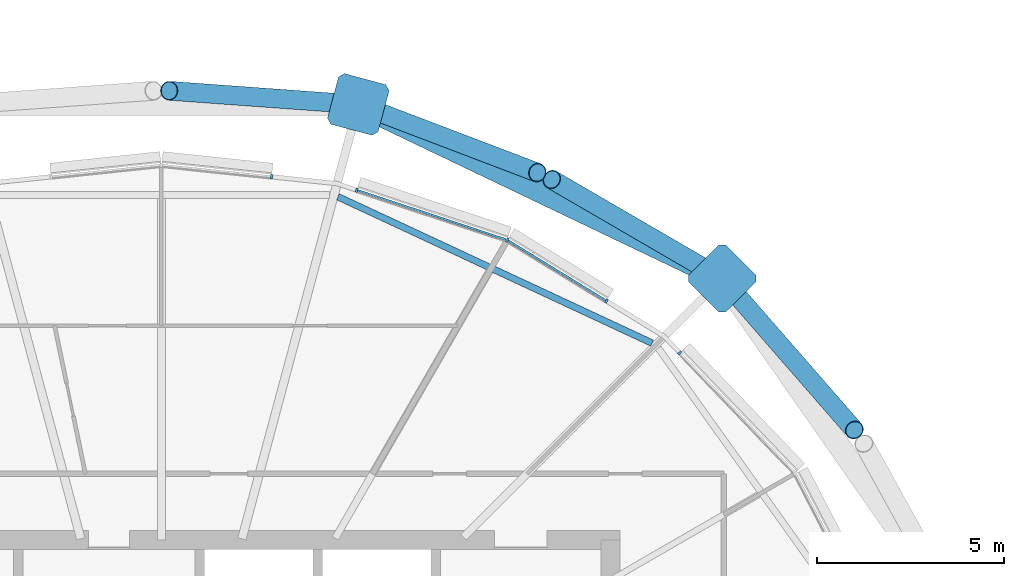
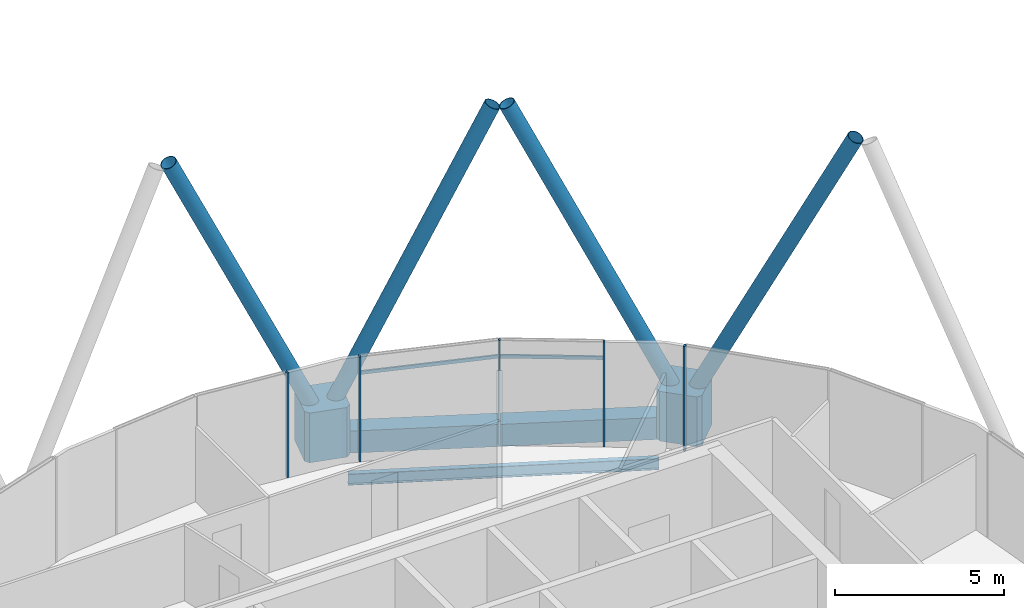
# One storey, part 9 of 31: 13 members, 2 beams, 1 element without a shape of its own.
"""IFC4 building model written with IfcOpenShell, lengths in metres."""

from ifc_helpers import new_model, si_unit, direction, frame, origin, origin_2d, place, context, subcontext, project, spatial, polyline, rectangle, hollow_rectangle, hollow_circle, i_section, outline, extrude, material, material_profile, profile_set, type_object, element, aggregate, save


model = new_model("IFC4")

# Units and contexts
model_context = context("Model", 3, precision=1e-05, world=origin(), true_north=direction((0.0, 1.0)))
body_context = subcontext(model_context, "Body", "Model", "MODEL_VIEW")
ifc_project = project(units=[si_unit("LENGTHUNIT", "METRE"), si_unit("AREAUNIT", "SQUARE_METRE"), si_unit("VOLUMEUNIT", "CUBIC_METRE"), si_unit("PLANEANGLEUNIT", "RADIAN"), si_unit("MASSUNIT", "GRAM", prefix="KILO")], contexts=[model_context])

# Site, building, storey
site_placement = place(None, origin())
site = spatial("IfcSite", under=ifc_project, at=site_placement, CompositionType="ELEMENT")
building_placement = place(site_placement, origin())
building = spatial("IfcBuilding", under=site, at=building_placement, Name="Rimbun Link Towers", CompositionType="ELEMENT")
storey_placement = place(building_placement, frame((0.0, 0.0, 244.699951171875)))
storey = spatial("IfcBuildingStorey", under=building, at=storey_placement, Name="L60", CompositionType="ELEMENT", Elevation=244.699951171875)

# Curtain wall, members
ifc_material_1 = material(Name="Aluminium 6063-T6 and low-iron glass", Category="aluminium")
curtain_wall_type = type_object("IfcCurtainWallType", Name="CW1-Z4 unitised vision wall (zone 4)", PredefinedType="NOTDEFINED", material=ifc_material_1)
curtain_wall_placement = place(storey_placement, origin())
curtain_wall = element("IfcCurtainWall", 1, at=curtain_wall_placement, inside=storey, type_object=curtain_wall_type, Name="CW1 L60 T1", PredefinedType="NOTDEFINED")
ifc_material_2 = material(Name="Aluminium 6063-T6", Category="aluminium")
ifc_material_profile_1 = material_profile(ifc_material_2, rectangle(XDim=0.1201171875, YDim=0.06005859375, at=origin_2d()), Name="MULLION 60X120")
ifc_profile_set_1 = profile_set([ifc_material_profile_1], Name="Aluminium 6063-T6")
member_type_1 = type_object("IfcMemberType", Name="CW1 mullion 60X120", PredefinedType="MULLION", material=ifc_profile_set_1)
member_1_placement = place(storey_placement, frame((-17.8994140625, 13.00048828125, 0.0), z_axis=(0.0, 0.0, 1.0), x_axis=(0.721858292347, 0.692040898915, 0.0)))
member_1 = element("IfcMember", 2, at=member_1_placement, type_object=member_type_1, Name="CW1 mullion", PredefinedType="MULLION", context=body_context, shape_type="SweptSolid", body=[
    extrude(rectangle(XDim=0.1201171875, YDim=0.06005859375, at=origin_2d()), origin(), (0.0, 0.0, 1.0), 3.800048828125),
])
member_2_placement = place(storey_placement, frame((-22.511474609375, 16.01220703125, 0.0), z_axis=(0.0, 0.0, 1.0), x_axis=(0.421699968812, 0.906735427953, 0.0)))
member_2 = element("IfcMember", 3, at=member_2_placement, type_object=member_type_1, Name="CW1 mullion", PredefinedType="MULLION", context=body_context, shape_type="SweptSolid", body=[
    extrude(rectangle(XDim=0.1201171875, YDim=0.06005859375, at=origin_2d()), origin(), (0.0, 0.0, 1.0), 3.800048828125),
])
member_3_placement = place(storey_placement, frame((-19.8603515625, 14.385009765625, 0.0), z_axis=(0.0, 0.0, 1.0), x_axis=(0.523228997113, 0.852192124219, 0.0)))
member_3 = element("IfcMember", 4, at=member_3_placement, type_object=member_type_1, Name="CW1 mullion", PredefinedType="MULLION", context=body_context, shape_type="SweptSolid", body=[
    extrude(rectangle(XDim=0.1201171875, YDim=0.06005859375, at=origin_2d()), origin(), (0.0, 0.0, 1.0), 3.800048828125),
])
member_4_placement = place(storey_placement, frame((-26.530517578125, 17.344482421875, 0.0), z_axis=(0.0, 0.0, 1.0), x_axis=(0.314569451089, 0.949234460205, 0.0)))
member_4 = element("IfcMember", 5, at=member_4_placement, type_object=member_type_1, Name="CW1 mullion", PredefinedType="MULLION", context=body_context, shape_type="SweptSolid", body=[
    extrude(rectangle(XDim=0.1201171875, YDim=0.06005859375, at=origin_2d()), origin(), (0.0, 0.0, 1.0), 3.800048828125),
])
member_5_placement = place(storey_placement, frame((-28.8056640625, 17.70361328125, 0.0), z_axis=(0.0, 0.0, 1.0), x_axis=(0.10473236474, 0.994500443326, 0.0)))
member_5 = element("IfcMember", 6, at=member_5_placement, type_object=member_type_1, Name="CW1 mullion", PredefinedType="MULLION", context=body_context, shape_type="SweptSolid", body=[
    extrude(rectangle(XDim=0.1201171875, YDim=0.06005859375, at=origin_2d()), origin(), (0.0, 0.0, 1.0), 3.800048828125),
])
ifc_material_3 = material(Name="Aluminium 6063-T6", Category="aluminium")
ifc_material_profile_2 = material_profile(ifc_material_3, rectangle(XDim=0.06005859375, YDim=0.1201171875, at=origin_2d()), Name="TRANSOM 60X120")
ifc_profile_set_2 = profile_set([ifc_material_profile_2], Name="Aluminium 6063-T6")
member_type_2 = type_object("IfcMemberType", Name="CW1 transom 60X120", PredefinedType="USERDEFINED", material=ifc_profile_set_2)
member_6_placement = place(storey_placement, frame((-22.480712890625, 15.991455078125, 3.199951171875), z_axis=(0.852189422972, -0.523233396654, 0.0), x_axis=(0.523233396654, 0.852189422972, 0.0)))
member_6 = element("IfcMember", 7, at=member_6_placement, type_object=member_type_2, Name="CW1 transom", ObjectType="TRANSOM", PredefinedType="USERDEFINED", context=body_context, shape_type="SweptSolid", body=[
    extrude(rectangle(XDim=0.06005859375, YDim=0.1201171875, at=origin_2d()), origin(), (0.0, 0.0, 1.0), 3.043701171875),
])
member_7_placement = place(storey_placement, frame((-26.502685546875, 17.333251953125, 3.199951171875), z_axis=(0.949226715592, -0.314592820017, 0.0), x_axis=(0.314592820017, 0.949226715592, 0.0)))
member_7 = element("IfcMember", 8, at=member_7_placement, type_object=member_type_2, Name="CW1 transom", ObjectType="TRANSOM", PredefinedType="USERDEFINED", context=body_context, shape_type="SweptSolid", body=[
    extrude(rectangle(XDim=0.06005859375, YDim=0.1201171875, at=origin_2d()), origin(), (0.0, 0.0, 1.0), 4.16748046875),
])
aggregate(curtain_wall, [member_1, member_2, member_3, member_4, member_5, member_6, member_7])

# Members
ifc_material_4 = material(Name="Steel S355J2H", Category="steel")
ifc_material_profile_3 = material_profile(ifc_material_4, hollow_circle(Radius=0.25390625, WallThickness=0.02001953125, at=origin_2d()), Name="Diagrid diagonal CHS 508x20")
ifc_profile_set_3 = profile_set([ifc_material_profile_3], Name="Steel S355J2H")
member_type_3 = type_object("IfcMemberType", Name="Diagrid diagonal CHS 508x20", PredefinedType="BRACE", material=ifc_profile_set_3)
member_8_placement = place(storey_placement, frame((-16.622314453125, 14.817138671875, 0.448974609375), z_axis=(0.289292505479, -0.331750183244, 0.897915175387), x_axis=(0.753689003324, 0.6572312274, 0.0)))
element("IfcMember", 9, at=member_8_placement, inside=storey, type_object=member_type_3, Name="Diagrid diagonal T1 L60-L63 03a", PredefinedType="BRACE", context=body_context, shape_type="SweptSolid", body=[
    extrude(hollow_circle(Radius=0.25390625, WallThickness=0.02001953125, at=origin_2d()), origin(), (0.0, 0.0, 1.0), 11.696044921875),
])
member_9_placement = place(storey_placement, frame((-16.954345703125, 15.091796875, 0.45068359375), z_axis=(-0.374829095169, 0.217810343556, 0.901144718486), x_axis=(-0.502424689454, -0.864620975588, 0.0)))
element("IfcMember", 10, at=member_9_placement, inside=storey, type_object=member_type_3, Name="Diagrid diagonal T1 L60-L63 03b", PredefinedType="BRACE", context=body_context, shape_type="SweptSolid", body=[
    extrude(hollow_circle(Radius=0.25390625, WallThickness=0.02001953125, at=origin_2d()), origin(), (0.0, 0.0, 1.0), 11.650390625),
])
member_10_placement = place(storey_placement, frame((-26.291259765625, 19.55859375, 0.453125), z_axis=(0.395784508652, -0.150629526777, 0.905905827542), x_axis=(0.355695220175, 0.934602006388, 0.0)))
element("IfcMember", 11, at=member_10_placement, inside=storey, type_object=member_type_3, Name="Diagrid diagonal T1 L60-L63 05a", PredefinedType="BRACE", context=body_context, shape_type="SweptSolid", body=[
    extrude(hollow_circle(Radius=0.25390625, WallThickness=0.02001953125, at=origin_2d()), origin(), (0.0, 0.0, 1.0), 11.583984375),
])
member_11_placement = place(storey_placement, frame((-26.698486328125, 19.64892578125, 0.453857421875), z_axis=(-0.418821529999, 0.030303478826, 0.90756279407), x_axis=(-0.072165506105, -0.997392670782, 0.0)))
element("IfcMember", 12, at=member_11_placement, inside=storey, type_object=member_type_3, Name="Diagrid diagonal T1 L60-L63 05b", PredefinedType="BRACE", context=body_context, shape_type="SweptSolid", body=[
    extrude(hollow_circle(Radius=0.25390625, WallThickness=0.02001953125, at=origin_2d()), origin(), (0.0, 0.0, 1.0), 11.56103515625),
])
ifc_material_5 = material(Name="Cast steel G20Mn5+QT, Rp0.2 300 MPa", Category="steel")
ifc_material_profile_4 = material_profile(ifc_material_5, outline(polyline([(0.699951171875, -0.570068359375), (0.699951171875, 0.570068359375), (0.570068359375, 0.699951171875), (-0.570068359375, 0.699951171875), (-0.699951171875, 0.570068359375), (-0.699951171875, -0.570068359375), (-0.570068359375, -0.699951171875), (0.570068359375, -0.699951171875), (0.699951171875, -0.570068359375)])), Name="NODE 1400x1400")
ifc_profile_set_4 = profile_set([ifc_material_profile_4], Name="Cast steel G20Mn5+QT, Rp0.2 300 MPa")
member_type_4 = type_object("IfcMemberType", Name="Diagrid node cast 1400", PredefinedType="USERDEFINED", material=ifc_profile_set_4)
for number, where, z_axis, x_axis, name in (
    (13, (-16.76708984375, 14.98291015625, -0.89990234375), (0.0, 0.0, 1.0), (0.707106781187, 0.707106781187, 0.0), "Diagrid node L60 03"),
    (14, (-26.489013671875, 19.6337890625, -0.89990234375), (0.0, 0.0, 1.0), (0.258819045103, 0.965925826289, 0.0), "Diagrid node L60 05"),
):
    element("IfcMember", number, at=place(storey_placement, frame(where, z_axis=z_axis, x_axis=x_axis)), inside=storey, type_object=member_type_4, Name=name, ObjectType="Diagrid node", PredefinedType="USERDEFINED", context=body_context, shape_type="SweptSolid", body=[
        extrude(outline(polyline([(0.699951171875, -0.570068359375), (0.699951171875, 0.570068359375), (0.570068359375, 0.699951171875), (-0.570068359375, 0.699951171875), (-0.699951171875, 0.570068359375), (-0.699951171875, -0.570068359375), (-0.570068359375, -0.699951171875), (0.570068359375, -0.699951171875), (0.699951171875, -0.570068359375)])), origin(), (0.0, 0.0, 1.0), 1.800048828125),
    ])

# Beams
ifc_material_6 = material(Name="Steel S355J2", Category="steel")
ifc_material_profile_5 = material_profile(ifc_material_6, hollow_rectangle(XDim=0.60009765625, YDim=0.800048828125, WallThickness=0.0400390625, at=origin_2d()), Name="Exoskeleton ring girder BOX 600x800x40")
ifc_profile_set_5 = profile_set([ifc_material_profile_5], Name="Steel S355J2")
beam_type_1 = type_object("IfcBeamType", Name="Exoskeleton ring girder BOX 600x800x40", PredefinedType="BEAM", material=ifc_profile_set_5)
beam_1_placement = place(storey_placement, frame((-17.3984375, 15.28515625, -0.56005859375), z_axis=(-0.902096326814, 0.431534722992, 0.0), x_axis=(-0.431534722992, -0.902096326814, 0.0)))
element("IfcBeam", 15, at=beam_1_placement, inside=storey, type_object=beam_type_1, Name="Exoskeleton ring girder L60 01", PredefinedType="BEAM", context=body_context, shape_type="SweptSolid", body=[
    extrude(hollow_rectangle(XDim=0.60009765625, YDim=0.800048828125, WallThickness=0.0400390625, at=origin_2d()), origin(), (0.0, 0.0, 1.0), 9.377197265625),
])
ifc_material_7 = material(Name="Steel S355J2", Category="steel")
ifc_material_profile_6 = material_profile(ifc_material_7, i_section(OverallWidth=0.177978515625, OverallDepth=0.406494140625, WebThickness=0.0078125, FlangeThickness=0.0126953125, at=origin_2d()), Name="UB 406x178x60")
ifc_profile_set_6 = profile_set([ifc_material_profile_6], Name="Steel S355J2")
beam_type_2 = type_object("IfcBeamType", Name="UB 406x178x60", PredefinedType="BEAM", material=ifc_profile_set_6)
beam_2_placement = place(storey_placement, frame((-18.6416015625, 13.2578125, -0.34326171875), z_axis=(-0.906430969705, 0.42235399508, 0.0), x_axis=(-0.42235399508, -0.906430969705, 0.0)))
element("IfcBeam", 16, at=beam_2_placement, inside=storey, type_object=beam_type_2, Name="Edge beam T1 L60 03-05", PredefinedType="BEAM", context=body_context, shape_type="SweptSolid", body=[
    extrude(i_section(OverallWidth=0.177978515625, OverallDepth=0.406494140625, WebThickness=0.0078125, FlangeThickness=0.0126953125, at=origin_2d()), origin(), (0.0, 0.0, 1.0), 9.255615234375),
])

save(model, "model.ifc")
